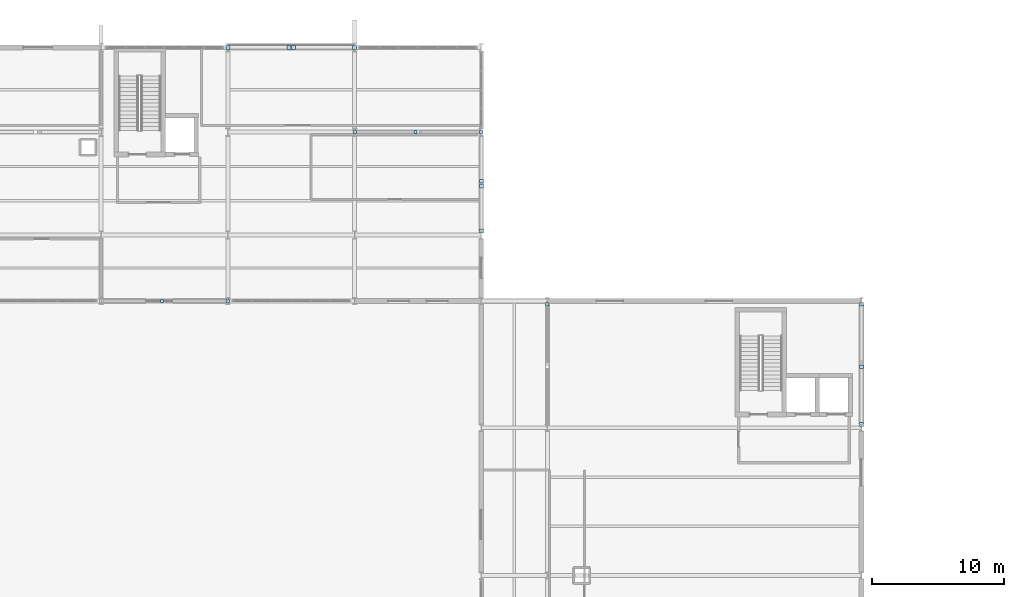
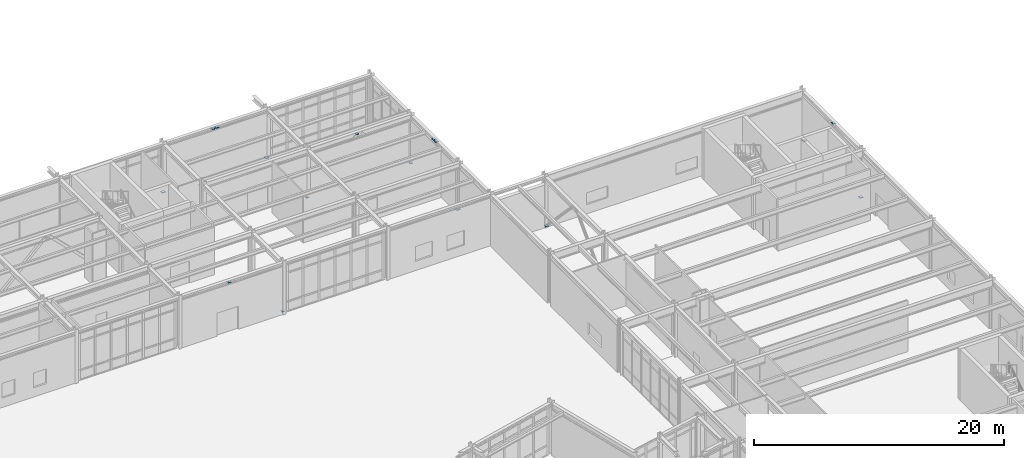
# One storey, part 82 of 109: 16 plates.
"""IFC4 building model written with IfcOpenShell, lengths in metres."""

from ifc_helpers import new_model, si_unit, direction, frame, origin, origin_2d, place, context, subcontext, project, spatial, rectangle, extrude, material, layer, layer_set, type_object, element, save


model = new_model("IFC4")

# Units and contexts
model_context = context("Model", 3, precision=1e-05, world=origin(), true_north=direction((0.0, 1.0)))
body_context = subcontext(model_context, "Body", "Model", "MODEL_VIEW")
ifc_project = project(units=[si_unit("LENGTHUNIT", "METRE"), si_unit("AREAUNIT", "SQUARE_METRE"), si_unit("VOLUMEUNIT", "CUBIC_METRE"), si_unit("PLANEANGLEUNIT", "RADIAN"), si_unit("MASSUNIT", "GRAM", prefix="KILO")], contexts=[model_context])

# Site, building, storey
site_placement = place(None, origin())
site = spatial("IfcSite", under=ifc_project, at=site_placement, CompositionType="ELEMENT")
building_placement = place(site_placement, origin())
building = spatial("IfcBuilding", under=site, at=building_placement, Name="Nordkorset Police Headquarters", CompositionType="ELEMENT")
storey_placement = place(building_placement, origin())
storey = spatial("IfcBuildingStorey", under=building, at=storey_placement, Name="L00", CompositionType="ELEMENT", Elevation=0.0)

# Plates
ifc_material = material(Name="Steel S355J2", Category="steel")
ifc_layer = layer(ifc_material, 0.02001953125, Name="Steel S355J2")
ifc_layer_set = layer_set([ifc_layer], Name="Steel S355J2")
plate_type = type_object("IfcPlateType", Name="SteelPlate_20mm", PredefinedType="SHEET", material=ifc_layer_set)
for number, where, z_axis, x_axis, name in (
    (1, (76.8076171875, 110.39990234375, 0.18994140625), (0.0, 0.0, 1.0), (1.0, 0.0, 0.0), "Hollow Section End Cap Plate BF-V2-B-L00-D1-0"),
    (2, (81.419921875, 110.39990234375, 4.77001953125), (0.0, 0.0, 1.0), (1.0, 0.0, 0.0), "Hollow Section End Cap Plate BF-V2-B-L00-D1-1"),
    (3, (86.392333984375, 110.39990234375, 0.18994140625), (0.0, 0.0, 1.0), (1.0, 0.0, 0.0), "Hollow Section End Cap Plate BF-V2-B-L00-D2-0"),
):
    element("IfcPlate", number, at=place(storey_placement, frame(where, z_axis=z_axis, x_axis=x_axis)), inside=storey, type_object=plate_type, Name=name, PredefinedType="SHEET", context=body_context, shape_type="SweptSolid", body=[
        extrude(rectangle(XDim=0.239990234375, YDim=0.239990234375, at=origin_2d()), origin(), (0.0, 0.0, 1.0), 0.02001953125),
    ])
plate_placement = place(storey_placement, frame((91.39990234375, 97.35009765625, 0.18994140625), z_axis=(0.0, 0.0, 1.0), x_axis=(1.0, 0.0, 0.0)))
element("IfcPlate", 4, at=plate_placement, inside=storey, type_object=plate_type, Name="Hollow Section End Cap Plate BF-V5-A-L00-D2-0", PredefinedType="SHEET", context=body_context, shape_type="SweptSolid", body=[
    extrude(rectangle(XDim=0.259033203125, YDim=0.259033203125, at=origin_2d()), origin(), (0.0, 0.0, 1.0), 0.02001953125),
])
for number, where, z_axis, x_axis, name in (
    (5, (67.207763671875, 116.800048828125, 0.18994140625), (0.0, 0.0, 1.0), (1.0, 0.0, 0.0), "Hollow Section End Cap Plate BF-EXT-V2N4-L00-D1-0"),
    (6, (71.820068359375, 116.800048828125, 4.77001953125), (0.0, 0.0, 1.0), (1.0, 0.0, 0.0), "Hollow Section End Cap Plate BF-EXT-V2N4-L00-D1-1"),
    (7, (76.792236328125, 116.800048828125, 0.18994140625), (0.0, 0.0, 1.0), (1.0, 0.0, 0.0), "Hollow Section End Cap Plate BF-EXT-V2N4-L00-D2-0"),
    (8, (72.179931640625, 116.800048828125, 4.77001953125), (0.0, 0.0, 1.0), (1.0, 0.0, 0.0), "Hollow Section End Cap Plate BF-EXT-V2N4-L00-D2-1"),
    (9, (86.39990234375, 102.89990234375, 0.18994140625), (0.0, 0.0, 1.0), (1.0, 0.0, 0.0), "Hollow Section End Cap Plate BF-EXT-V2E-L00-D1-0"),
    (10, (86.39990234375, 106.320068359375, 4.77001953125), (0.0, 0.0, 1.0), (1.0, 0.0, 0.0), "Hollow Section End Cap Plate BF-EXT-V2E-L00-D1-1"),
    (11, (86.39990234375, 106.679931640625, 4.77001953125), (0.0, 0.0, 1.0), (1.0, 0.0, 0.0), "Hollow Section End Cap Plate BF-EXT-V2E-L00-D2-1"),
):
    element("IfcPlate", number, at=place(storey_placement, frame(where, z_axis=z_axis, x_axis=x_axis)), inside=storey, type_object=plate_type, Name=name, PredefinedType="SHEET", context=body_context, shape_type="SweptSolid", body=[
        extrude(rectangle(XDim=0.2900390625, YDim=0.2900390625, at=origin_2d()), origin(), (0.0, 0.0, 1.0), 0.02001953125),
    ])
for number, where, z_axis, x_axis, name in (
    (12, (62.219970703125, 97.60009765625, 4.77001953125), (0.0, 0.0, 1.0), (1.0, 0.0, 0.0), "Hollow Section End Cap Plate BF-EXT-V2S-L00-D1-1"),
    (13, (67.192626953125, 97.60009765625, 0.18994140625), (0.0, 0.0, 1.0), (1.0, 0.0, 0.0), "Hollow Section End Cap Plate BF-EXT-V2S-L00-D2-0"),
):
    element("IfcPlate", number, at=place(storey_placement, frame(where, z_axis=z_axis, x_axis=x_axis)), inside=storey, type_object=plate_type, Name=name, PredefinedType="SHEET", context=body_context, shape_type="SweptSolid", body=[
        extrude(rectangle(XDim=0.239990234375, YDim=0.239990234375, at=origin_2d()), origin(), (0.0, 0.0, 1.0), 0.02001953125),
    ])
for number, where, z_axis, x_axis, name in (
    (14, (115.199951171875, 88.25, 0.18994140625), (0.0, 0.0, 1.0), (1.0, 0.0, 0.0), "Hollow Section End Cap Plate BF-EXT-V5E4-L00-D1-0"),
    (15, (115.199951171875, 92.6201171875, 4.77001953125), (0.0, 0.0, 1.0), (1.0, 0.0, 0.0), "Hollow Section End Cap Plate BF-EXT-V5E4-L00-D1-1"),
    (16, (115.199951171875, 97.35009765625, 0.18994140625), (0.0, 0.0, 1.0), (1.0, 0.0, 0.0), "Hollow Section End Cap Plate BF-EXT-V5E4-L00-D2-0"),
):
    element("IfcPlate", number, at=place(storey_placement, frame(where, z_axis=z_axis, x_axis=x_axis)), inside=storey, type_object=plate_type, Name=name, PredefinedType="SHEET", context=body_context, shape_type="SweptSolid", body=[
        extrude(rectangle(XDim=0.2900390625, YDim=0.2900390625, at=origin_2d()), origin(), (0.0, 0.0, 1.0), 0.02001953125),
    ])

save(model, "model.ifc")
